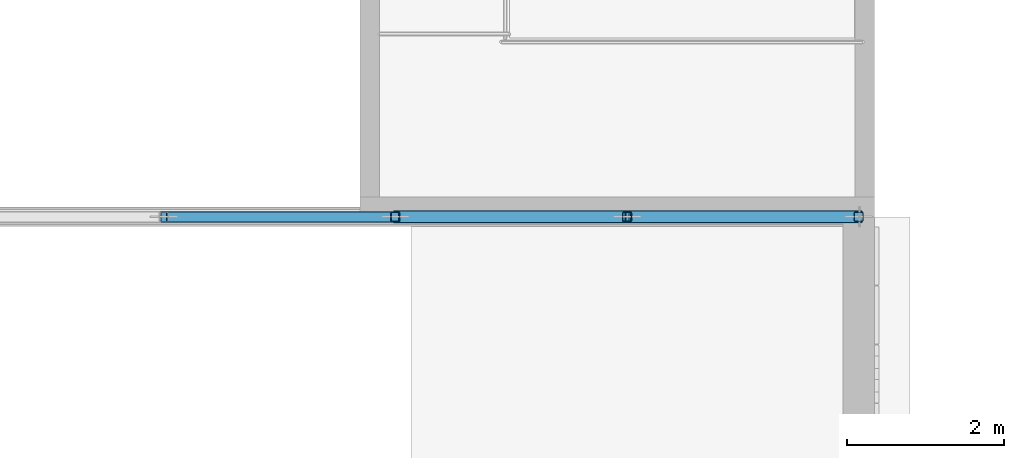
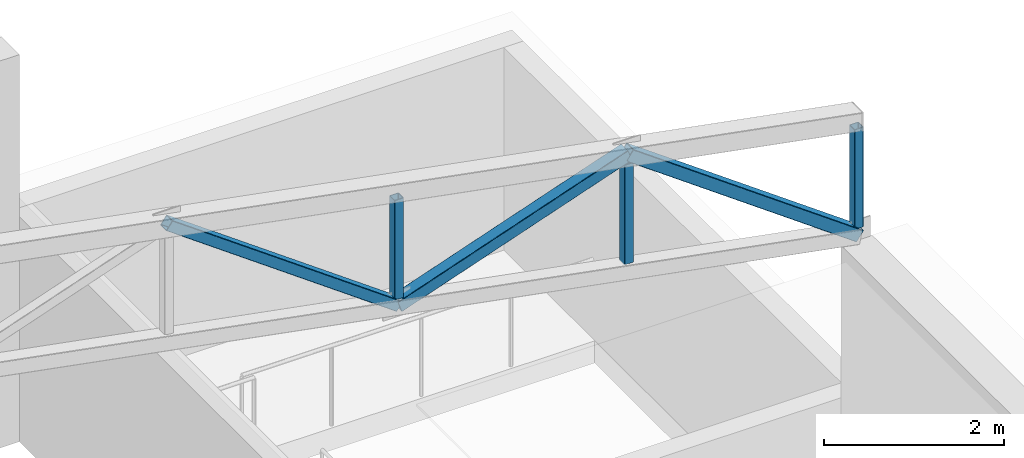
# One storey, part 18 of 125: 6 members.
"""IFC4 building model written with IfcOpenShell, lengths in metres."""

from ifc_helpers import new_model, si_unit, direction, frame, origin, origin_2d, place, context, subcontext, project, spatial, hollow_rectangle, extrude, material, material_profile, profile_set, type_object, element, save


model = new_model("IFC4")

# Units and contexts
model_context = context("Model", 3, precision=1e-05, world=origin(), true_north=direction((0.0, 1.0)))
body_context = subcontext(model_context, "Body", "Model", "MODEL_VIEW")
ifc_project = project(units=[si_unit("LENGTHUNIT", "METRE"), si_unit("AREAUNIT", "SQUARE_METRE"), si_unit("VOLUMEUNIT", "CUBIC_METRE"), si_unit("PLANEANGLEUNIT", "RADIAN"), si_unit("MASSUNIT", "GRAM", prefix="KILO")], contexts=[model_context])

# Site, building, storey
site_placement = place(None, origin())
site = spatial("IfcSite", under=ifc_project, at=site_placement, CompositionType="ELEMENT")
building_placement = place(site_placement, origin())
building = spatial("IfcBuilding", under=site, at=building_placement, Name="Sun Court Science Centre", CompositionType="ELEMENT")
storey_placement = place(building_placement, frame((0.0, 0.0, 6.0)))
storey = spatial("IfcBuildingStorey", under=building, at=storey_placement, Name="L01", CompositionType="ELEMENT", Elevation=6.0)

# Members
ifc_material_1 = material(Name="Steel S355", Category="steel")
ifc_material_profile_1 = material_profile(ifc_material_1, hollow_rectangle(XDim=0.139892578125, YDim=0.139892578125, WallThickness=0.008056640625, InnerFilletRadius=0.008056640625, OuterFilletRadius=0.011962890625, at=origin_2d()), Name="SHS 140x140x8")
ifc_profile_set_1 = profile_set([ifc_material_profile_1], Name="Steel S355")
member_type_1 = type_object("IfcMemberType", Name="Truss diagonal SHS 140x140x8", PredefinedType="BRACE", material=ifc_profile_set_1)
member_1_placement = place(storey_placement, frame((14.949951171875, 64.0, 8.15185546875), z_axis=(0.810985300315, 0.0, -0.585066528416), x_axis=(0.0, 1.0, 0.0)))
element("IfcMember", 1, at=member_1_placement, inside=storey, type_object=member_type_1, Name="Roof truss 3 diagonal 6", PredefinedType="BRACE", context=body_context, shape_type="SweptSolid", body=[
    extrude(hollow_rectangle(XDim=0.139892578125, YDim=0.139892578125, WallThickness=0.008056640625, InnerFilletRadius=0.008056640625, OuterFilletRadius=0.011962890625, at=origin_2d()), origin(), (0.0, 0.0, 1.0), 3.637451171875),
])
ifc_material_2 = material(Name="Steel S355", Category="steel")
ifc_material_profile_2 = material_profile(ifc_material_2, hollow_rectangle(XDim=0.159912109375, YDim=0.159912109375, WallThickness=0.008056640625, InnerFilletRadius=0.008056640625, OuterFilletRadius=0.011962890625, at=origin_2d()), Name="SHS 160x160x8")
ifc_profile_set_2 = profile_set([ifc_material_profile_2], Name="Steel S355")
member_type_2 = type_object("IfcMemberType", Name="Truss diagonal SHS 160x160x8", PredefinedType="BRACE", material=ifc_profile_set_2)
member_2_placement = place(storey_placement, frame((17.89990234375, 64.0, 6.023681640625), z_axis=(0.944911675704, 0.0, 0.32732541166), x_axis=(0.0, 1.0, 0.0)))
element("IfcMember", 2, at=member_2_placement, inside=storey, type_object=member_type_2, Name="Roof truss 3 diagonal 7", PredefinedType="BRACE", context=body_context, shape_type="SweptSolid", body=[
    extrude(hollow_rectangle(XDim=0.159912109375, YDim=0.159912109375, WallThickness=0.008056640625, InnerFilletRadius=0.008056640625, OuterFilletRadius=0.011962890625, at=origin_2d()), origin(), (0.0, 0.0, 1.0), 3.1220703125),
])
member_3_placement = place(storey_placement, frame((20.85009765625, 64.0, 7.045654296875), z_axis=(0.810985300315, 0.0, -0.585066528416), x_axis=(0.0, 1.0, 0.0)))
element("IfcMember", 3, at=member_3_placement, inside=storey, type_object=member_type_2, Name="Roof truss 3 diagonal 8", PredefinedType="BRACE", context=body_context, shape_type="SweptSolid", body=[
    extrude(hollow_rectangle(XDim=0.159912109375, YDim=0.159912109375, WallThickness=0.008056640625, InnerFilletRadius=0.008056640625, OuterFilletRadius=0.011962890625, at=origin_2d()), origin(), (0.0, 0.0, 1.0), 3.637451171875),
])
ifc_material_3 = material(Name="Steel S355", Category="steel")
ifc_material_profile_3 = material_profile(ifc_material_3, hollow_rectangle(XDim=0.1201171875, YDim=0.1201171875, WallThickness=0.008056640625, InnerFilletRadius=0.008056640625, OuterFilletRadius=0.011962890625, at=origin_2d()), Name="SHS 120x120x8")
ifc_profile_set_3 = profile_set([ifc_material_profile_3], Name="Steel S355")
member_type_3 = type_object("IfcMemberType", Name="Truss post SHS 120x120x8", PredefinedType="POST", material=ifc_profile_set_3)
member_4_placement = place(storey_placement, frame((17.89990234375, 64.0, 6.123779296875), z_axis=(0.0, 0.0, 1.0), x_axis=(1.0, 0.0, 0.0)))
element("IfcMember", 4, at=member_4_placement, inside=storey, type_object=member_type_3, Name="Roof truss 3 post 7", PredefinedType="POST", context=body_context, shape_type="SweptSolid", body=[
    extrude(hollow_rectangle(XDim=0.1201171875, YDim=0.1201171875, WallThickness=0.008056640625, InnerFilletRadius=0.008056640625, OuterFilletRadius=0.011962890625, at=origin_2d()), origin(), (0.0, 0.0, 1.0), 1.349853515625),
])
member_5_placement = place(storey_placement, frame((20.85009765625, 64.0, 5.570556640625), z_axis=(0.0, 0.0, 1.0), x_axis=(1.0, 0.0, 0.0)))
element("IfcMember", 5, at=member_5_placement, inside=storey, type_object=member_type_3, Name="Roof truss 3 post 8", PredefinedType="POST", context=body_context, shape_type="SweptSolid", body=[
    extrude(hollow_rectangle(XDim=0.1201171875, YDim=0.1201171875, WallThickness=0.008056640625, InnerFilletRadius=0.008056640625, OuterFilletRadius=0.011962890625, at=origin_2d()), origin(), (0.0, 0.0, 1.0), 1.35009765625),
])
member_6_placement = place(storey_placement, frame((23.800048828125, 64.0, 5.017578125), z_axis=(0.0, 0.0, 1.0), x_axis=(1.0, 0.0, 0.0)))
element("IfcMember", 6, at=member_6_placement, inside=storey, type_object=member_type_3, Name="Roof truss 3 post 9", PredefinedType="POST", context=body_context, shape_type="SweptSolid", body=[
    extrude(hollow_rectangle(XDim=0.1201171875, YDim=0.1201171875, WallThickness=0.008056640625, InnerFilletRadius=0.008056640625, OuterFilletRadius=0.011962890625, at=origin_2d()), origin(), (0.0, 0.0, 1.0), 1.349853515625),
])

save(model, "model.ifc")
